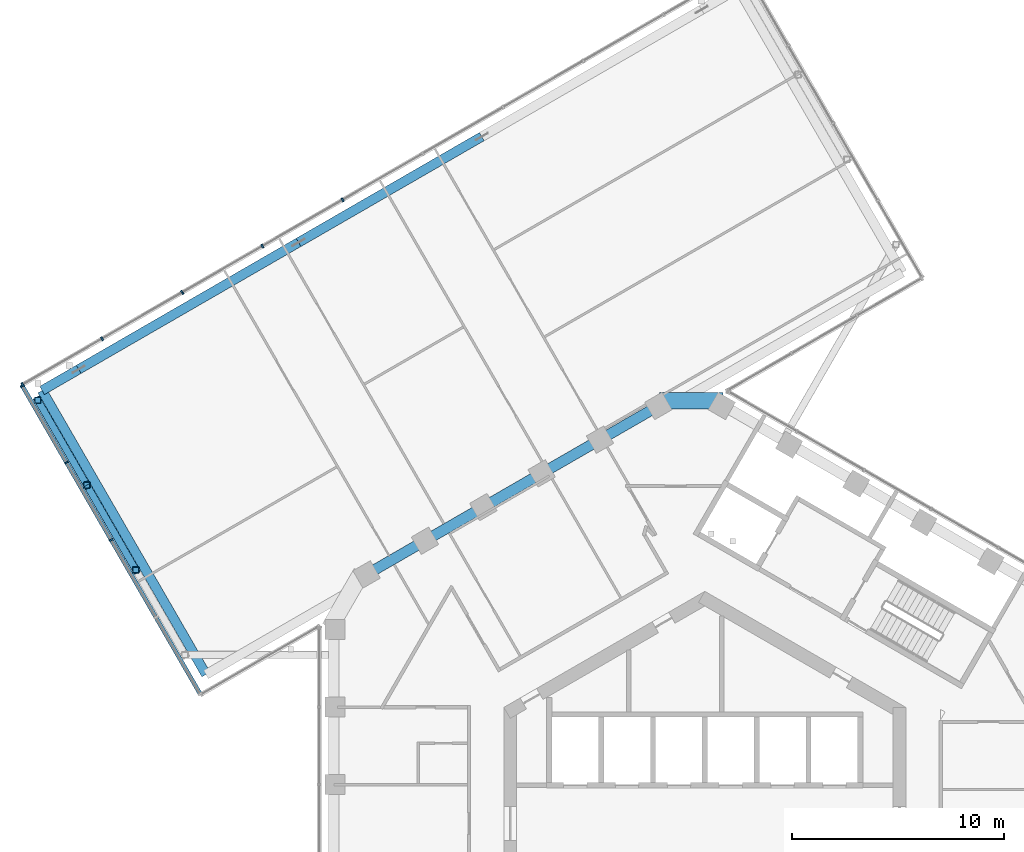
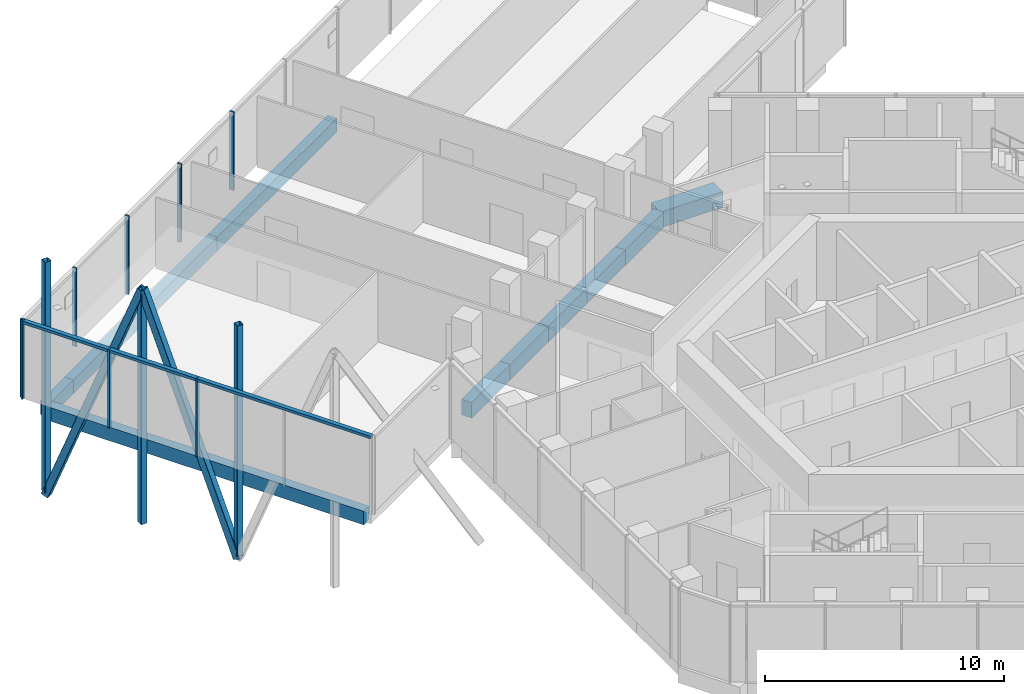
# One storey, part 5 of 21: 14 members, 10 beams, 2 elements without a shape of their own.
"""IFC4 building model written with IfcOpenShell, lengths in metres."""

from ifc_helpers import new_model, si_unit, direction, frame, origin, origin_2d, place, context, subcontext, project, spatial, rectangle, hollow_rectangle, extrude, material, layer, layer_set, material_profile, profile_set, type_object, element, aggregate, save


model = new_model("IFC4")

# Units and contexts
model_context = context("Model", 3, precision=1e-05, world=origin(), true_north=direction((0.0, 1.0)))
body_context = subcontext(model_context, "Body", "Model", "MODEL_VIEW")
ifc_project = project(units=[si_unit("LENGTHUNIT", "METRE"), si_unit("AREAUNIT", "SQUARE_METRE"), si_unit("VOLUMEUNIT", "CUBIC_METRE"), si_unit("PLANEANGLEUNIT", "RADIAN"), si_unit("MASSUNIT", "GRAM", prefix="KILO")], contexts=[model_context])

# Site, building, storey
site_placement = place(None, origin())
site = spatial("IfcSite", under=ifc_project, at=site_placement, CompositionType="ELEMENT")
building_placement = place(site_placement, origin())
building = spatial("IfcBuilding", under=site, at=building_placement, Name="Ayvan Gate Tower", CompositionType="ELEMENT")
storey_placement = place(building_placement, frame((0.0, 0.0, 190.699951171875)))
storey = spatial("IfcBuildingStorey", under=building, at=storey_placement, Name="L51", CompositionType="ELEMENT", Elevation=190.699951171875)

# Beams
ifc_material_1 = material(Name="Concrete C40/50", Category="concrete")
ifc_material_profile_1 = material_profile(ifc_material_1, rectangle(XDim=0.800048828125, YDim=0.800048828125, at=origin_2d()), Name="RC 800x800")
ifc_profile_set_1 = profile_set([ifc_material_profile_1], Name="Concrete C40/50")
beam_type_1 = type_object("IfcBeamType", Name="Corner spandrel beam RC 800x800 C40/50", PredefinedType="BEAM", material=ifc_profile_set_1)
beam_1_placement = place(storey_placement, frame((0.8505859375, 19.97900390625, -0.800048828125), z_axis=(-1.0, 0.0, 0.0), x_axis=(0.0, -1.0, 0.0)))
element("IfcBeam", 1, at=beam_1_placement, inside=storey, type_object=beam_type_1, Name="SB-L51-12", PredefinedType="BEAM", context=body_context, shape_type="SweptSolid", body=[
    extrude(rectangle(XDim=0.800048828125, YDim=0.800048828125, at=origin_2d()), origin(), (0.0, 0.0, 1.0), 3.0),
])
ifc_material_profile_2 = material_profile(ifc_material_1, rectangle(XDim=0.449951171875, YDim=0.699951171875, at=origin_2d()), Name="RC 450x700")
ifc_profile_set_2 = profile_set([ifc_material_profile_2], Name="Concrete C40/50")
beam_type_2 = type_object("IfcBeamType", Name="Sky bar edge beam RC 450x700 C40/50", PredefinedType="BEAM", material=ifc_profile_set_2)
beam_2_placement = place(storey_placement, frame((-23.5791015625, 7.040283203125, -0.75), z_axis=(-0.500001506187, 0.866024534185, 0.0), x_axis=(-0.866024534185, -0.500001506187, 0.0)))
element("IfcBeam", 2, at=beam_2_placement, inside=storey, type_object=beam_type_2, Name="EB-B4-L51-2", PredefinedType="BEAM", context=body_context, shape_type="SweptSolid", body=[
    extrude(rectangle(XDim=0.449951171875, YDim=0.699951171875, at=origin_2d()), origin(), (0.0, 0.0, 1.0), 15.5),
])
beam_3_placement = place(storey_placement, frame((-31.3291015625, 20.463623046875, -0.75), z_axis=(0.866041268327, 0.499972520799, 0.0), x_axis=(-0.499972520799, 0.866041268327, 0.0)))
element("IfcBeam", 3, at=beam_3_placement, inside=storey, type_object=beam_type_2, Name="EB-B4-L51-3", PredefinedType="BEAM", context=body_context, shape_type="SweptSolid", body=[
    extrude(rectangle(XDim=0.449951171875, YDim=0.699951171875, at=origin_2d()), origin(), (0.0, 0.0, 1.0), 2.0),
])
beam_4_placement = place(storey_placement, frame((-29.596923828125, 21.463623046875, -0.75), z_axis=(0.866026010844, 0.49999894854, 0.0), x_axis=(-0.49999894854, 0.866026010844, 0.0)))
element("IfcBeam", 4, at=beam_4_placement, inside=storey, type_object=beam_type_2, Name="EB-B4-L51-4", PredefinedType="BEAM", context=body_context, shape_type="SweptSolid", body=[
    extrude(rectangle(XDim=0.449951171875, YDim=0.699951171875, at=origin_2d()), origin(), (0.0, 0.0, 1.0), 12.0),
])
beam_5_placement = place(storey_placement, frame((-19.20458984375, 27.463623046875, -0.75), z_axis=(0.866022959057, 0.500004234368, 0.0), x_axis=(-0.500004234368, 0.866022959057, 0.0)))
element("IfcBeam", 5, at=beam_5_placement, inside=storey, type_object=beam_type_2, Name="EB-B4-L51-5", PredefinedType="BEAM", context=body_context, shape_type="SweptSolid", body=[
    extrude(rectangle(XDim=0.449951171875, YDim=0.699951171875, at=origin_2d()), origin(), (0.0, 0.0, 1.0), 10.0),
])

# Members
ifc_material_2 = material(Name="Steel S460NH", Category="steel")
ifc_material_profile_3 = material_profile(ifc_material_2, hollow_rectangle(XDim=0.35009765625, YDim=0.35009765625, WallThickness=0.01416015625, InnerFilletRadius=0.01416015625, OuterFilletRadius=0.021240234375, at=origin_2d()), Name="RHS 350x350x14.2")
ifc_profile_set_3 = profile_set([ifc_material_profile_3], Name="Steel S460NH")
member_type_1 = type_object("IfcMemberType", Name="Sky bar truss brace B4 RHS 350x350x14.2", PredefinedType="BRACE", material=ifc_profile_set_3)
for number, where, z_axis, x_axis, name in (
    (6, (-26.896484375, 11.97607421875, -4.724853515625), (-0.178799962756, 0.309701358189, 0.933871319859), (-0.866032910697, -0.499986997421, 0.0), "SBX4-A-D-3"),
    (7, (-29.213134765625, 15.98876953125, 7.375), (-0.178801006149, 0.309684322485, -0.933876769497), (-0.866019737675, -0.500009813861, 0.0), "SBX4-A-D-4"),
):
    element("IfcMember", number, at=place(storey_placement, frame(where, z_axis=z_axis, x_axis=x_axis)), inside=storey, type_object=member_type_1, Name=name, PredefinedType="BRACE", context=body_context, shape_type="SweptSolid", body=[
        extrude(hollow_rectangle(XDim=0.35009765625, YDim=0.35009765625, WallThickness=0.01416015625, InnerFilletRadius=0.01416015625, OuterFilletRadius=0.021240234375, at=origin_2d()), origin(), (0.0, 0.0, 1.0), 12.95654296875),
    ])
ifc_material_profile_4 = material_profile(ifc_material_2, hollow_rectangle(XDim=0.300048828125, YDim=0.300048828125, WallThickness=0.01416015625, InnerFilletRadius=0.01416015625, OuterFilletRadius=0.021240234375, at=origin_2d()), Name="RHS 300x300x14.2")
ifc_profile_set_4 = profile_set([ifc_material_profile_4], Name="Steel S460NH")
member_type_2 = type_object("IfcMemberType", Name="Sky bar truss post B4 RHS 300x300x14.2", PredefinedType="POST", material=ifc_profile_set_4)
for number, where, z_axis, x_axis, name in (
    (8, (-26.896484375, 11.97607421875, -4.550048828125), (0.0, 0.0, 1.0), (1.0, 0.0, 0.0), "SBX4-A-P-2"),
    (9, (-29.213134765625, 15.98876953125, -4.550048828125), (0.0, 0.0, 1.0), (1.0, 0.0, 0.0), "SBX4-A-P-3"),
    (10, (-31.52978515625, 20.001220703125, -4.550048828125), (0.0, 0.0, 1.0), (1.0, 0.0, 0.0), "SBX4-A-P-4"),
):
    element("IfcMember", number, at=place(storey_placement, frame(where, z_axis=z_axis, x_axis=x_axis)), inside=storey, type_object=member_type_2, Name=name, PredefinedType="POST", context=body_context, shape_type="SweptSolid", body=[
        extrude(hollow_rectangle(XDim=0.300048828125, YDim=0.300048828125, WallThickness=0.01416015625, InnerFilletRadius=0.01416015625, OuterFilletRadius=0.021240234375, at=origin_2d()), origin(), (0.0, 0.0, 1.0), 11.75),
    ])

# Beams
ifc_material_profile_5 = material_profile(ifc_material_1, rectangle(XDim=0.5, YDim=0.800048828125, at=origin_2d()), Name="RC 500x800")
ifc_profile_set_5 = profile_set([ifc_material_profile_5], Name="Concrete C40/50")
beam_type_3 = type_object("IfcBeamType", Name="Spandrel beam RC 500x800 C40/50", PredefinedType="BEAM", material=ifc_profile_set_5)
for number, where, z_axis, x_axis, name in (
    (11, (-2.1494140625, 19.759033203125, -0.800048828125), (-0.866042346109, -0.499970653885, 0.0), (0.499970653885, -0.866042346109, 0.0), "SB-L51-13"),
    (12, (-4.927001953125, 18.155517578125, -0.800048828125), (-0.866009384889, -0.500027744514, 0.0), (0.500027744514, -0.866009384889, 0.0), "SB-L51-14"),
):
    element("IfcBeam", number, at=place(storey_placement, frame(where, z_axis=z_axis, x_axis=x_axis)), inside=storey, type_object=beam_type_3, Name=name, PredefinedType="BEAM", context=body_context, shape_type="SweptSolid", body=[
        extrude(rectangle(XDim=0.5, YDim=0.800048828125, at=origin_2d()), origin(), (0.0, 0.0, 1.0), 3.207275390625),
    ])
beam_6_placement = place(storey_placement, frame((-7.70458984375, 16.5517578125, -0.800048828125), z_axis=(-0.866023315909, -0.500003616288, 0.0), x_axis=(0.500003616288, -0.866023315909, 0.0)))
element("IfcBeam", 13, at=beam_6_placement, inside=storey, type_object=beam_type_3, Name="SB-L51-15", PredefinedType="BEAM", context=body_context, shape_type="SweptSolid", body=[
    extrude(rectangle(XDim=0.5, YDim=0.800048828125, at=origin_2d()), origin(), (0.0, 0.0, 1.0), 3.20703125),
])
for number, where, z_axis, x_axis, name in (
    (14, (-10.48193359375, 14.9482421875, -0.800048828125), (-0.866009384889, -0.500027744514, 0.0), (0.500027744514, -0.866009384889, 0.0), "SB-L51-16"),
    (15, (-13.259521484375, 13.344482421875, -0.800048828125), (-0.866042346109, -0.499970653885, 0.0), (0.499970653885, -0.866042346109, 0.0), "SB-L51-17"),
):
    element("IfcBeam", number, at=place(storey_placement, frame(where, z_axis=z_axis, x_axis=x_axis)), inside=storey, type_object=beam_type_3, Name=name, PredefinedType="BEAM", context=body_context, shape_type="SweptSolid", body=[
        extrude(rectangle(XDim=0.5, YDim=0.800048828125, at=origin_2d()), origin(), (0.0, 0.0, 1.0), 3.207275390625),
    ])

# Curtain wall, members
ifc_material_3 = material(Name="Bronze anodised aluminium", Category="aluminium")
ifc_layer = layer(ifc_material_3, 0.199951171875)
ifc_layer_set = layer_set([ifc_layer], Name="Bronze anodised aluminium")
curtain_wall_type = type_object("IfcCurtainWallType", Name="Stick curtain wall CW-4", PredefinedType="NOTDEFINED", material=ifc_layer_set)
curtain_wall_1_placement = place(storey_placement, origin())
curtain_wall_1 = element("IfcCurtainWall", 16, at=curtain_wall_1_placement, inside=storey, type_object=curtain_wall_type, Name="Stick curtain wall CW-4 L51", PredefinedType="NOTDEFINED")
ifc_material_profile_6 = material_profile(ifc_material_3, rectangle(XDim=0.199951171875, YDim=0.080078125, at=origin_2d()), Name="Stick curtain wall CW-4 mullion 200 x 80")
ifc_profile_set_6 = profile_set([ifc_material_profile_6], Name="Bronze anodised aluminium")
member_type_3 = type_object("IfcMemberType", Name="Stick curtain wall CW-4 mullion 200 x 80", PredefinedType="MULLION", material=ifc_profile_set_6)
member_1_placement = place(storey_placement, frame((-17.120361328125, 29.475341796875, 0.0), z_axis=(0.0, 0.0, 1.0), x_axis=(-0.5, 0.866025403784, 0.0)))
member_1 = element("IfcMember", 17, at=member_1_placement, type_object=member_type_3, Name="CW-4 mullion 6", PredefinedType="MULLION", context=body_context, shape_type="SweptSolid", body=[
    extrude(rectangle(XDim=0.199951171875, YDim=0.080078125, at=origin_2d()), origin(), (0.0, 0.0, 1.0), 4.0),
])
member_2_placement = place(storey_placement, frame((-20.91162109375, 27.286376953125, 0.0), z_axis=(0.0, 0.0, 1.0), x_axis=(-0.5, 0.866025403784, 0.0)))
member_2 = element("IfcMember", 18, at=member_2_placement, type_object=member_type_3, Name="CW-4 mullion 7", PredefinedType="MULLION", context=body_context, shape_type="SweptSolid", body=[
    extrude(rectangle(XDim=0.199951171875, YDim=0.080078125, at=origin_2d()), origin(), (0.0, 0.0, 1.0), 4.0),
])
member_3_placement = place(storey_placement, frame((-24.702880859375, 25.09765625, 0.0), z_axis=(0.0, 0.0, 1.0), x_axis=(-0.5, 0.866025403784, 0.0)))
member_3 = element("IfcMember", 19, at=member_3_placement, type_object=member_type_3, Name="CW-4 mullion 8", PredefinedType="MULLION", context=body_context, shape_type="SweptSolid", body=[
    extrude(rectangle(XDim=0.199951171875, YDim=0.080078125, at=origin_2d()), origin(), (0.0, 0.0, 1.0), 4.0),
])
member_4_placement = place(storey_placement, frame((-28.494140625, 22.90869140625, 0.0), z_axis=(0.0, 0.0, 1.0), x_axis=(-0.5, 0.866025403784, 0.0)))
member_4 = element("IfcMember", 20, at=member_4_placement, type_object=member_type_3, Name="CW-4 mullion 9", PredefinedType="MULLION", context=body_context, shape_type="SweptSolid", body=[
    extrude(rectangle(XDim=0.199951171875, YDim=0.080078125, at=origin_2d()), origin(), (0.0, 0.0, 1.0), 4.0),
])
member_5_placement = place(storey_placement, frame((-32.250732421875, 20.73974609375, 0.0), z_axis=(0.0, 0.0, 1.0), x_axis=(-0.5, 0.866025403784, 0.0)))
member_5 = element("IfcMember", 21, at=member_5_placement, type_object=member_type_3, Name="CW-4 mullion 10", PredefinedType="MULLION", context=body_context, shape_type="SweptSolid", body=[
    extrude(rectangle(XDim=0.199951171875, YDim=0.080078125, at=origin_2d()), origin(), (0.0, 0.0, 1.0), 4.0),
])
aggregate(curtain_wall_1, [member_1, member_2, member_3, member_4, member_5])

curtain_wall_2_placement = place(storey_placement, origin())
curtain_wall_2 = element("IfcCurtainWall", 22, at=curtain_wall_2_placement, inside=storey, type_object=curtain_wall_type, Name="Stick curtain wall CW-4 L51", PredefinedType="NOTDEFINED")
member_6_placement = place(storey_placement, frame((-32.265380859375, 20.68505859375, 0.0), z_axis=(0.0, 0.0, 1.0), x_axis=(-0.866025403784, -0.5, 0.0)))
member_6 = element("IfcMember", 23, at=member_6_placement, type_object=member_type_3, Name="CW-4 mullion 1", PredefinedType="MULLION", context=body_context, shape_type="SweptSolid", body=[
    extrude(rectangle(XDim=0.199951171875, YDim=0.080078125, at=origin_2d()), origin(), (0.0, 0.0, 1.0), 4.0),
])
member_7_placement = place(storey_placement, frame((-30.1728515625, 17.060791015625, 0.0), z_axis=(0.0, 0.0, 1.0), x_axis=(-0.866025403784, -0.5, 0.0)))
member_7 = element("IfcMember", 24, at=member_7_placement, type_object=member_type_3, Name="CW-4 mullion 2", PredefinedType="MULLION", context=body_context, shape_type="SweptSolid", body=[
    extrude(rectangle(XDim=0.199951171875, YDim=0.080078125, at=origin_2d()), origin(), (0.0, 0.0, 1.0), 4.0),
])
member_8_placement = place(storey_placement, frame((-28.060302734375, 13.40185546875, 0.0), z_axis=(0.0, 0.0, 1.0), x_axis=(-0.866025403784, -0.5, 0.0)))
member_8 = element("IfcMember", 25, at=member_8_placement, type_object=member_type_3, Name="CW-4 mullion 3", PredefinedType="MULLION", context=body_context, shape_type="SweptSolid", body=[
    extrude(rectangle(XDim=0.199951171875, YDim=0.080078125, at=origin_2d()), origin(), (0.0, 0.0, 1.0), 4.0),
])
ifc_material_profile_7 = material_profile(ifc_material_3, rectangle(XDim=0.199951171875, YDim=0.139892578125, at=origin_2d()), Name="Stick curtain wall CW-4 transom 200 x 140")
ifc_profile_set_7 = profile_set([ifc_material_profile_7], Name="Bronze anodised aluminium")
member_type_4 = type_object("IfcMemberType", Name="Stick curtain wall CW-4 transom 200 x 140", PredefinedType="USERDEFINED", material=ifc_profile_set_7)
member_9_placement = place(storey_placement, frame((-32.265380859375, 20.68505859375, 3.929931640625), z_axis=(0.500010598107, -0.866019284878, 0.0), x_axis=(0.866019284878, 0.500010598107, 0.0)))
member_9 = element("IfcMember", 26, at=member_9_placement, type_object=member_type_4, Name="CW-4 transom 1", ObjectType="TRANSOM", PredefinedType="USERDEFINED", context=body_context, shape_type="SweptSolid", body=[
    extrude(rectangle(XDim=0.199951171875, YDim=0.139892578125, at=origin_2d()), origin(), (0.0, 0.0, 1.0), 16.820068359375),
])
aggregate(curtain_wall_2, [member_6, member_7, member_8, member_9])

save(model, "model.ifc")
